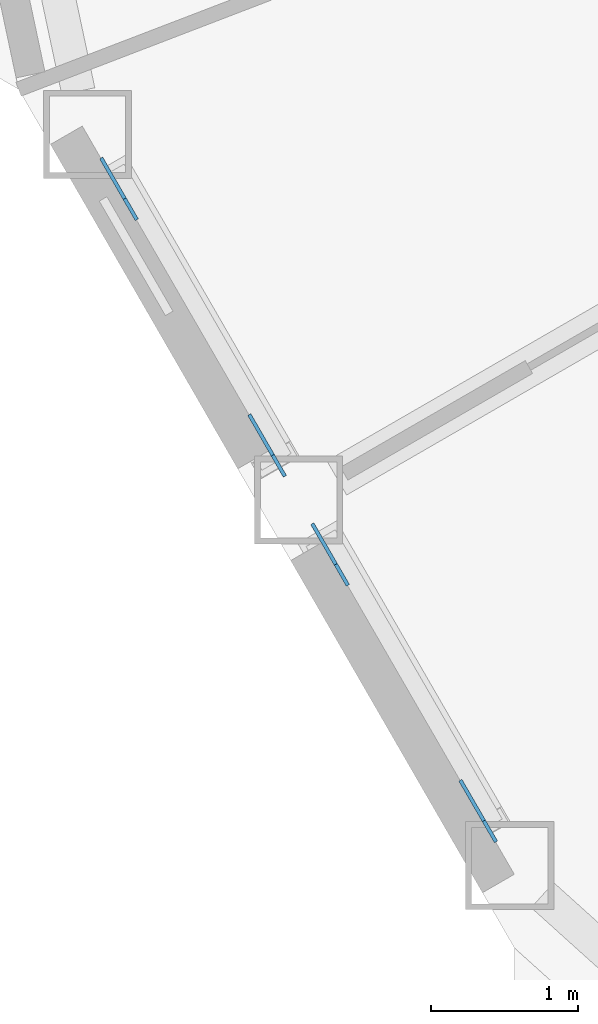
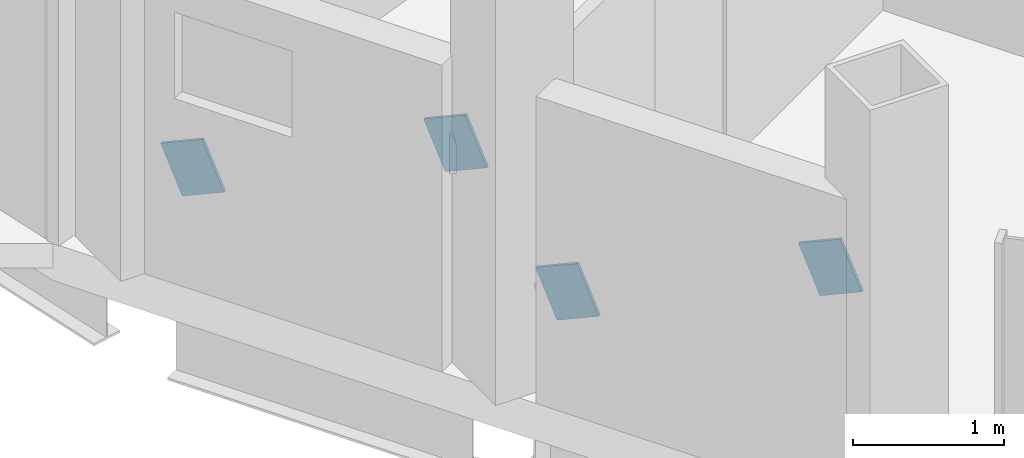
# One storey, part 20 of 27: 4 discrete accessories.
"""IFC4 building model written with IfcOpenShell, lengths in metres."""

from ifc_helpers import new_model, si_unit, direction, frame, origin, origin_2d, place, context, subcontext, project, spatial, rectangle, extrude, material, material_profile, profile_set, type_object, element, save


model = new_model("IFC4")

# Units and contexts
model_context = context("Model", 3, precision=1e-05, world=origin(), true_north=direction((0.0, 1.0)))
body_context = subcontext(model_context, "Body", "Model", "MODEL_VIEW")
ifc_project = project(units=[si_unit("LENGTHUNIT", "METRE"), si_unit("AREAUNIT", "SQUARE_METRE"), si_unit("VOLUMEUNIT", "CUBIC_METRE"), si_unit("PLANEANGLEUNIT", "RADIAN"), si_unit("MASSUNIT", "GRAM", prefix="KILO")], contexts=[model_context])

# Site, building, storey
site_placement = place(None, origin())
site = spatial("IfcSite", under=ifc_project, at=site_placement, CompositionType="ELEMENT")
building_placement = place(site_placement, origin())
building = spatial("IfcBuilding", under=site, at=building_placement, Name="Cormorant Prow Tower", CompositionType="ELEMENT")
storey_placement = place(building_placement, frame((0.0, 0.0, 312.0)))
storey = spatial("IfcBuildingStorey", under=building, at=storey_placement, Name="L68", CompositionType="ELEMENT", Elevation=312.0)

# Discrete accessories
ifc_material = material(Name="Structural steel ASTM A500 Gr C", Category="steel")
ifc_material_profile = material_profile(ifc_material, rectangle(XDim=0.02490234375, YDim=0.405029296875, at=origin_2d()), Name="Gusset plate 25x405")
ifc_profile_set = profile_set([ifc_material_profile], Name="Structural steel ASTM A500 Gr C")
discrete_accessory_type = type_object("IfcDiscreteAccessoryType", Name="Gusset plate 25x405", PredefinedType="BRACKET", material=ifc_profile_set)
discrete_accessory_1_placement = place(storey_placement, frame((-28.574951171875, -13.85888671875, 0.86376953125), z_axis=(-0.456239480558, 0.790396531303, -0.408801736402), x_axis=(-0.866071029786, -0.499920965119, 0.0)))
element("IfcDiscreteAccessory", 1, at=discrete_accessory_1_placement, inside=storey, type_object=discrete_accessory_type, Name="Gusset plate GP3 L68.WSW00.g0", PredefinedType="BRACKET", context=body_context, shape_type="SweptSolid", body=[
    extrude(rectangle(XDim=0.02490234375, YDim=0.405029296875, at=origin_2d()), origin(), (0.0, 0.0, 1.0), 0.349853515625),
])
discrete_accessory_2_placement = place(storey_placement, frame((-27.7265625, -15.328369140625, 1.6240234375), z_axis=(0.456109312262, -0.790171025676, 0.409382517274), x_axis=(0.866071029786, 0.499920965119, 0.0)))
element("IfcDiscreteAccessory", 2, at=discrete_accessory_2_placement, inside=storey, type_object=discrete_accessory_type, Name="Gusset plate GP3 L68.WSW00.g1", PredefinedType="BRACKET", context=body_context, shape_type="SweptSolid", body=[
    extrude(rectangle(XDim=0.02490234375, YDim=0.405029296875, at=origin_2d()), origin(), (0.0, 0.0, 1.0), 0.35009765625),
])
discrete_accessory_3_placement = place(storey_placement, frame((-27.137939453125, -16.34765625, 0.86376953125), z_axis=(-0.45649114423, 0.790134518758, -0.409027233209), x_axis=(-0.865879799044, -0.500252110048, 0.0)))
element("IfcDiscreteAccessory", 3, at=discrete_accessory_3_placement, inside=storey, type_object=discrete_accessory_type, Name="Gusset plate GP3 L68.WSW01.g0", PredefinedType="BRACKET", context=body_context, shape_type="SweptSolid", body=[
    extrude(rectangle(XDim=0.02490234375, YDim=0.405029296875, at=origin_2d()), origin(), (0.0, 0.0, 1.0), 0.349853515625),
])
discrete_accessory_4_placement = place(storey_placement, frame((-26.289794921875, -17.817138671875, 1.6240234375), z_axis=(0.456661376387, -0.789919602208, 0.409252256395), x_axis=(0.865740004385, 0.50049400077, 0.0)))
element("IfcDiscreteAccessory", 4, at=discrete_accessory_4_placement, inside=storey, type_object=discrete_accessory_type, Name="Gusset plate GP3 L68.WSW01.g1", PredefinedType="BRACKET", context=body_context, shape_type="SweptSolid", body=[
    extrude(rectangle(XDim=0.02490234375, YDim=0.405029296875, at=origin_2d()), origin(), (0.0, 0.0, 1.0), 0.35009765625),
])

save(model, "model.ifc")
